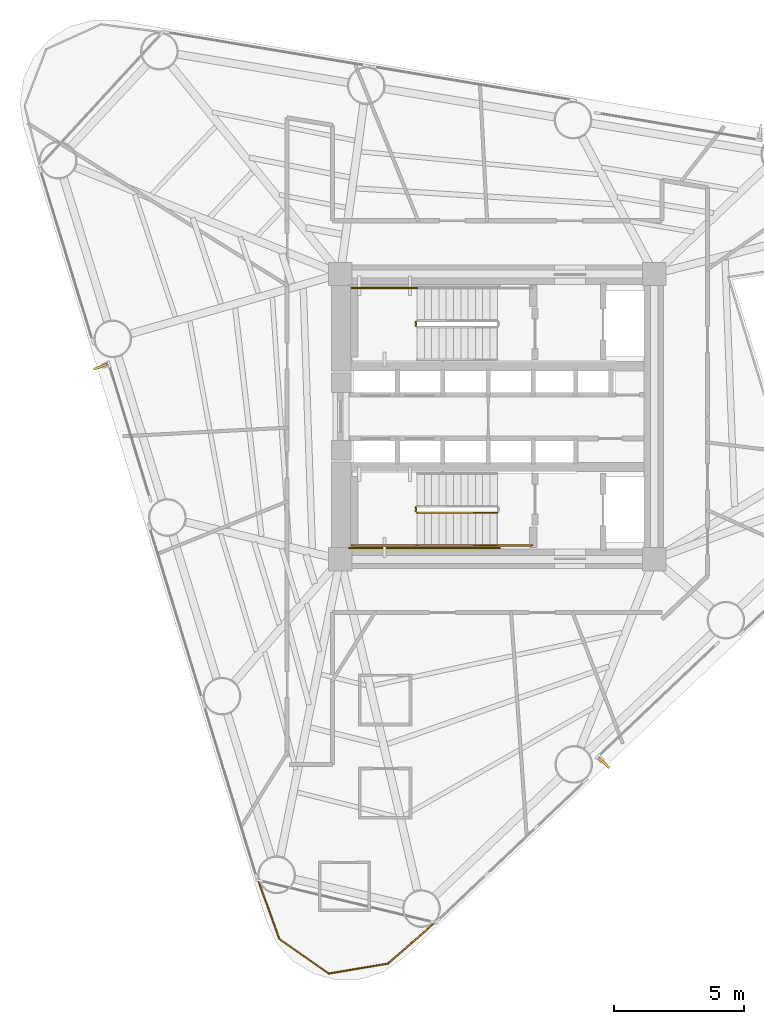
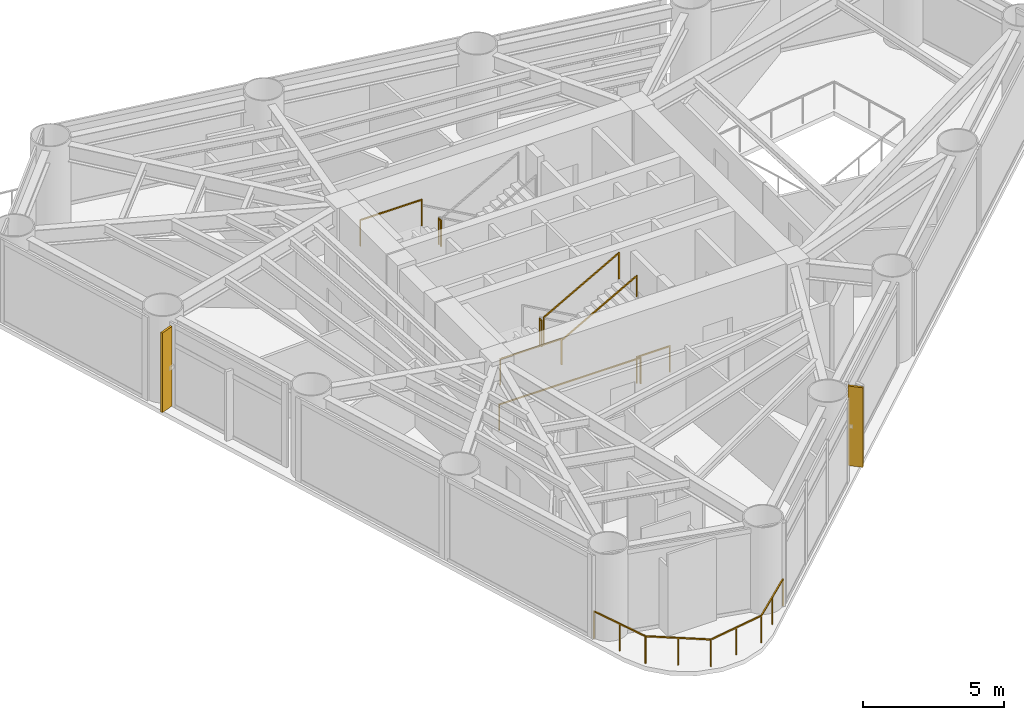
# One storey, part 8 of 10: 9 railings, 2 shading devices.
"""IFC4 building model written with IfcOpenShell, lengths in metres."""

from ifc_helpers import new_model, si_unit, direction, frame, origin, origin_2d, place, context, subcontext, project, spatial, rectangle, extrude, source, transform, mapped, material, material_profile, profile_set, type_object, element, save


model = new_model("IFC4")

# Units and contexts
model_context = context("Model", 3, precision=1e-05, world=origin(), true_north=direction((0.0, 1.0)))
body_context = subcontext(model_context, "Body", "Model", "MODEL_VIEW")
ifc_project = project(units=[si_unit("LENGTHUNIT", "METRE"), si_unit("AREAUNIT", "SQUARE_METRE"), si_unit("VOLUMEUNIT", "CUBIC_METRE"), si_unit("PLANEANGLEUNIT", "RADIAN"), si_unit("MASSUNIT", "GRAM", prefix="KILO")], contexts=[model_context])

# Site, building, storey
site_placement = place(None, origin())
site = spatial("IfcSite", under=ifc_project, at=site_placement, CompositionType="ELEMENT")
building_placement = place(site_placement, origin())
building = spatial("IfcBuilding", under=site, at=building_placement, Name="Yunling Apex Tower", CompositionType="ELEMENT")
storey_placement = place(building_placement, frame((0.0, 0.0, 108.64990234375)))
storey = spatial("IfcBuildingStorey", under=building, at=storey_placement, Name="L27", CompositionType="ELEMENT", Elevation=108.64990234375)

# Railings
ifc_material_1 = material(Name="Bronze anodised aluminium", Category="aluminium")
railing_type_1 = type_object("IfcRailingType", Name="RL-BAL-1200", PredefinedType="BALUSTRADE", material=ifc_material_1)
railing_1_placement = place(storey_placement, frame((-2.412353515625, -19.497314453125, 0.0)))
element("IfcRailing", 1, at=railing_1_placement, inside=storey, type_object=railing_type_1, Name="RL-CRNSILL-L27-3", PredefinedType="BALUSTRADE", context=body_context, shape_type="SweptSolid", body=[
    extrude(rectangle(XDim=0.0439453125, YDim=0.0439453125, at=origin_2d()), origin(), (0.0, 0.0, 1.0), 1.199951171875),
    extrude(rectangle(XDim=0.0439453125, YDim=0.0439453125, at=origin_2d()), frame((-1.796630859375, -1.580078125, 0.0)), (0.0, 0.0, 1.0), 1.199951171875),
    extrude(rectangle(XDim=0.050048828125, YDim=0.050048828125, at=origin_2d()), frame((-0.02880859375, -0.025390625, 1.1748046875), z_axis=(-0.750911858274, -0.660402438748, 0.0), x_axis=(0.660402438748, -0.750911858274, 0.0)), (0.0, 0.0, 1.0), 2.31591796875),
    extrude(rectangle(XDim=0.0439453125, YDim=0.0439453125, at=origin_2d()), frame((-0.8984375, -0.7900390625, 0.0)), (0.0, 0.0, 1.0), 1.14599609375),
    extrude(rectangle(XDim=0.0439453125, YDim=0.0439453125, at=origin_2d()), frame((-4.085205078125, -1.96484375, 0.0)), (0.0, 0.0, 1.0), 1.199951171875),
    extrude(rectangle(XDim=0.050048828125, YDim=0.050048828125, at=origin_2d()), frame((-1.83447265625, -1.58642578125, 1.1748046875), z_axis=(-0.986159782391, -0.165797718908, 0.0), x_axis=(0.165797718908, -0.986159782391, 0.0)), (0.0, 0.0, 1.0), 2.244140625),
    extrude(rectangle(XDim=0.0439453125, YDim=0.0439453125, at=origin_2d()), frame((-2.94091796875, -1.7724609375, 0.0)), (0.0, 0.0, 1.0), 1.14599609375),
    extrude(rectangle(XDim=0.0439453125, YDim=0.0439453125, at=origin_2d()), frame((-5.991943359375, -0.62890625, 0.0)), (0.0, 0.0, 1.0), 1.199951171875),
    extrude(rectangle(XDim=0.050048828125, YDim=0.050048828125, at=origin_2d()), frame((-4.11669921875, -1.94287109375, 1.1748046875), z_axis=(-0.818985520809, 0.573814183081, 0.0), x_axis=(-0.573814183081, -0.818985520809, 0.0)), (0.0, 0.0, 1.0), 2.25146484375),
    extrude(rectangle(XDim=0.0439453125, YDim=0.0439453125, at=origin_2d()), frame((-5.03857421875, -1.296875, 0.0)), (0.0, 0.0, 1.0), 1.14599609375),
    extrude(rectangle(XDim=0.0439453125, YDim=0.0439453125, at=origin_2d()), frame((-6.80224609375, 1.62158203125, 0.0)), (0.0, 0.0, 1.0), 1.199951171875),
    extrude(rectangle(XDim=0.050048828125, YDim=0.050048828125, at=origin_2d()), frame((-6.0048828125, -0.5927734375, 1.1748046875), z_axis=(-0.338766454211, 0.940870495606, 0.0), x_axis=(-0.940870495606, -0.338766454211, 0.0)), (0.0, 0.0, 1.0), 2.315185546875),
    extrude(rectangle(XDim=0.0439453125, YDim=0.0439453125, at=origin_2d()), frame((-6.39697265625, 0.496337890625, 0.0)), (0.0, 0.0, 1.0), 1.14599609375),
])
ifc_material_2 = material(Name="Steel Q355B", Category="steel")
railing_type_2 = type_object("IfcRailingType", Name="RL-GRD-1150", PredefinedType="GUARDRAIL", material=ifc_material_2)
railing_2_placement = place(storey_placement, frame((-3.139892578125, 3.64990234375, 1.875)))
element("IfcRailing", 2, at=railing_2_placement, inside=storey, type_object=railing_type_2, Name="L27 ST-1 stair guard 2", PredefinedType="GUARDRAIL", context=body_context, shape_type="SweptSolid", body=[
    extrude(rectangle(XDim=0.0439453125, YDim=0.0439453125, at=origin_2d()), origin(), (0.0, 0.0, 1.0), 1.14990234375),
    extrude(rectangle(XDim=0.0439453125, YDim=0.0439453125, at=origin_2d()), frame((0.0, -0.14990234375, 0.0)), (0.0, 0.0, 1.0), 1.14990234375),
    extrude(rectangle(XDim=0.050048828125, YDim=0.050048828125, at=origin_2d()), frame((0.0, -0.038330078125, 1.125), z_axis=(0.0, -1.0, 0.0), x_axis=(1.0, 0.0, 0.0)), (0.0, 0.0, 1.0), 0.0732421875),
])
railing_3_placement = place(storey_placement, frame((-3.090087890625, 4.9599609375, 1.875)))
element("IfcRailing", 3, at=railing_3_placement, inside=storey, type_object=railing_type_2, Name="L27 ST-1 stair guard 3", PredefinedType="GUARDRAIL", context=body_context, shape_type="SweptSolid", body=[
    extrude(rectangle(XDim=0.0439453125, YDim=0.0439453125, at=origin_2d()), origin(), (0.0, 0.0, 1.0), 1.14990234375),
    extrude(rectangle(XDim=0.0439453125, YDim=0.0439453125, at=origin_2d()), frame((-2.510009765625, 0.0, 0.0)), (0.0, 0.0, 1.0), 1.14990234375),
    extrude(rectangle(XDim=0.050048828125, YDim=0.050048828125, at=origin_2d()), frame((-0.038330078125, 0.0, 1.125), z_axis=(-1.0, 0.0, 0.0), x_axis=(0.0, -1.0, 0.0)), (0.0, 0.0, 1.0), 2.433349609375),
])
railing_4_placement = place(storey_placement, frame((-3.139892578125, -3.5, 1.875)))
element("IfcRailing", 4, at=railing_4_placement, inside=storey, type_object=railing_type_2, Name="L27 ST-2 stair guard 2", PredefinedType="GUARDRAIL", context=body_context, shape_type="SweptSolid", body=[
    extrude(rectangle(XDim=0.0439453125, YDim=0.0439453125, at=origin_2d()), origin(), (0.0, 0.0, 1.0), 1.14990234375),
    extrude(rectangle(XDim=0.0439453125, YDim=0.0439453125, at=origin_2d()), frame((0.0, -0.14990234375, 0.0)), (0.0, 0.0, 1.0), 1.14990234375),
    extrude(rectangle(XDim=0.050048828125, YDim=0.050048828125, at=origin_2d()), frame((0.0, -0.038330078125, 1.125), z_axis=(0.0, -1.0, 0.0), x_axis=(1.0, 0.0, 0.0)), (0.0, 0.0, 1.0), 0.0732421875),
])
railing_5_placement = place(storey_placement, frame((-3.090087890625, -4.9599609375, 1.875)))
element("IfcRailing", 5, at=railing_5_placement, inside=storey, type_object=railing_type_2, Name="L27 ST-2 stair guard 3", PredefinedType="GUARDRAIL", context=body_context, shape_type="SweptSolid", body=[
    extrude(rectangle(XDim=0.0439453125, YDim=0.0439453125, at=origin_2d()), origin(), (0.0, 0.0, 1.0), 1.14990234375),
    extrude(rectangle(XDim=0.0439453125, YDim=0.0439453125, at=origin_2d()), frame((-2.510009765625, 0.0, 0.0)), (0.0, 0.0, 1.0), 1.14990234375),
    extrude(rectangle(XDim=0.050048828125, YDim=0.050048828125, at=origin_2d()), frame((-0.038330078125, 0.0, 1.125), z_axis=(-1.0, 0.0, 0.0), x_axis=(0.0, -1.0, 0.0)), (0.0, 0.0, 1.0), 2.433349609375),
])
railing_6_placement = place(storey_placement, frame((-3.090087890625, -3.699951171875, 2.03125)))
element("IfcRailing", 6, at=railing_6_placement, inside=storey, type_object=railing_type_2, Name="L27 ST-2 stair guard 4", PredefinedType="GUARDRAIL", context=body_context, shape_type="SweptSolid", body=[
    extrude(rectangle(XDim=0.0439453125, YDim=0.0439453125, at=origin_2d()), origin(), (0.0, 0.0, 1.0), 1.14990234375),
    extrude(rectangle(XDim=0.0439453125, YDim=0.0439453125, at=origin_2d()), frame((3.080078125, 0.0, 1.71875)), (0.0, 0.0, 1.0), 1.14990234375),
    extrude(rectangle(XDim=0.050048828125, YDim=0.050048828125, at=origin_2d()), frame((0.033447265625, 0.0, 1.1435546875), z_axis=(0.873241540666, 0.0, 0.487287606713), x_axis=(0.0, 1.0, 0.0)), (0.0, 0.0, 1.0), 3.450439453125),
])
railing_7_placement = place(storey_placement, frame((1.35009765625, -4.9599609375, 0.0)))
element("IfcRailing", 7, at=railing_7_placement, inside=storey, type_object=railing_type_2, Name="L27 ST-2 stair guard 6", PredefinedType="GUARDRAIL", context=body_context, shape_type="SweptSolid", body=[
    extrude(rectangle(XDim=0.0439453125, YDim=0.0439453125, at=origin_2d()), origin(), (0.0, 0.0, 1.0), 1.14990234375),
    extrude(rectangle(XDim=0.0439453125, YDim=0.0439453125, at=origin_2d()), frame((-1.360107421875, 0.0, 0.0)), (0.0, 0.0, 1.0), 1.14990234375),
    extrude(rectangle(XDim=0.050048828125, YDim=0.050048828125, at=origin_2d()), frame((-0.038330078125, 0.0, 1.125), z_axis=(-1.0, 0.0, 0.0), x_axis=(0.0, -1.0, 0.0)), (0.0, 0.0, 1.0), 1.283447265625),
])
railing_8_placement = place(storey_placement, frame((0.090087890625, -5.06005859375, 0.0)))
element("IfcRailing", 8, at=railing_8_placement, inside=storey, type_object=railing_type_2, Name="L27 ST-2 stair guard 7", PredefinedType="GUARDRAIL", context=body_context, shape_type="SweptSolid", body=[
    extrude(rectangle(XDim=0.0439453125, YDim=0.0439453125, at=origin_2d()), origin(), (0.0, 0.0, 1.0), 1.14990234375),
    extrude(rectangle(XDim=0.0439453125, YDim=0.0439453125, at=origin_2d()), frame((-5.7900390625, 0.0, 0.0)), (0.0, 0.0, 1.0), 1.14990234375),
    extrude(rectangle(XDim=0.050048828125, YDim=0.050048828125, at=origin_2d()), frame((-0.038330078125, 0.0, 1.125), z_axis=(-1.0, 0.0, 0.0), x_axis=(0.0, -1.0, 0.0)), (0.0, 0.0, 1.0), 5.71337890625),
])
ifc_material_3 = material(Name="Silver anodised aluminium", Category="aluminium")
railing_type_3 = type_object("IfcRailingType", Name="RL-HND-900", PredefinedType="HANDRAIL", material=ifc_material_3)
railing_9_placement = place(storey_placement, frame((-3.090087890625, -4.9599609375, 2.03125)))
element("IfcRailing", 9, at=railing_9_placement, inside=storey, type_object=railing_type_3, Name="L27 ST-2 stair handrail 2", PredefinedType="HANDRAIL", context=body_context, shape_type="SweptSolid", body=[
    extrude(rectangle(XDim=0.0439453125, YDim=0.0439453125, at=origin_2d()), origin(), (0.0, 0.0, 1.0), 0.919921875),
    extrude(rectangle(XDim=0.0439453125, YDim=0.0439453125, at=origin_2d()), frame((3.080078125, 0.0, 1.71875)), (0.0, 0.0, 1.0), 0.919921875),
    extrude(rectangle(XDim=0.050048828125, YDim=0.050048828125, at=origin_2d()), frame((0.033447265625, 0.0, 0.91357421875), z_axis=(0.873241540666, 0.0, 0.487287606713), x_axis=(0.0, 1.0, 0.0)), (0.0, 0.0, 1.0), 3.450439453125),
])

# Shading devices
ifc_material_profile = material_profile(ifc_material_1, rectangle(XDim=0.0849609375, YDim=0.550048828125, at=origin_2d()))
ifc_profile_set = profile_set([ifc_material_profile], Name="Bronze anodised aluminium")
shading_device_type = type_object("IfcShadingDeviceType", Name="FN-BRZ-3", PredefinedType="USERDEFINED", material=ifc_profile_set)
shared_shape = source(origin(), body_context, "Body", "SweptSolid", [
    extrude(rectangle(XDim=0.0849609375, YDim=0.550048828125, at=origin_2d()), origin(), (0.0, 0.0, 1.0), 3.445068359375),
])
for number, where, z_axis, x_axis, name in (
    (10, (4.11376953125, -13.347412109375, 0.06005859375), (0.0, 0.0, 1.0), (0.679313233894, 0.733848438205, 0.0), "CW-L27-F1-B2-FIN-01"),
    (11, (-15.29443359375, 1.92529296875, 0.06005859375), (0.0, 0.0, 1.0), (0.354291037998, -0.935135209686, 0.0), "CW-L27-F3-B2-FIN-01"),
):
    element("IfcShadingDevice", number, at=place(storey_placement, frame(where, z_axis=z_axis, x_axis=x_axis)), inside=storey, type_object=shading_device_type, Name=name, ObjectType="FIN", PredefinedType="USERDEFINED", context=body_context, shape_type="MappedRepresentation", body=[
        mapped(shared_shape, transform((0.0, 0.0, 0.0), scale=1.0)),
    ])

save(model, "model.ifc")
